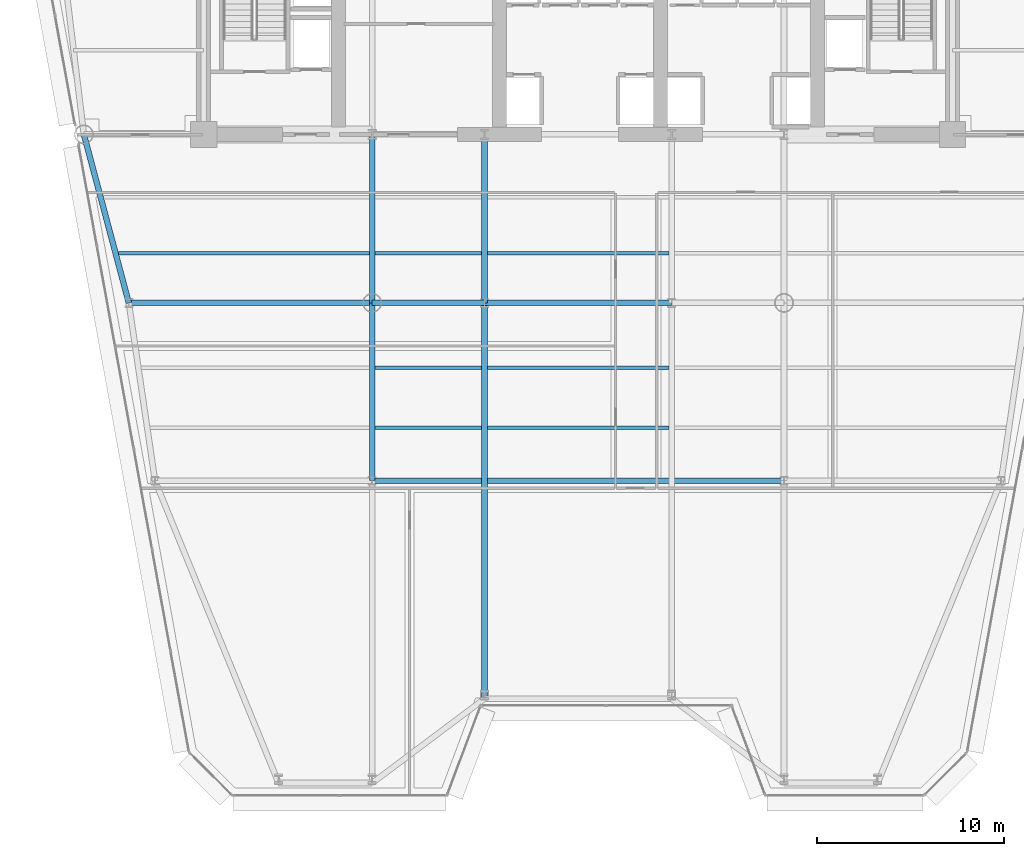
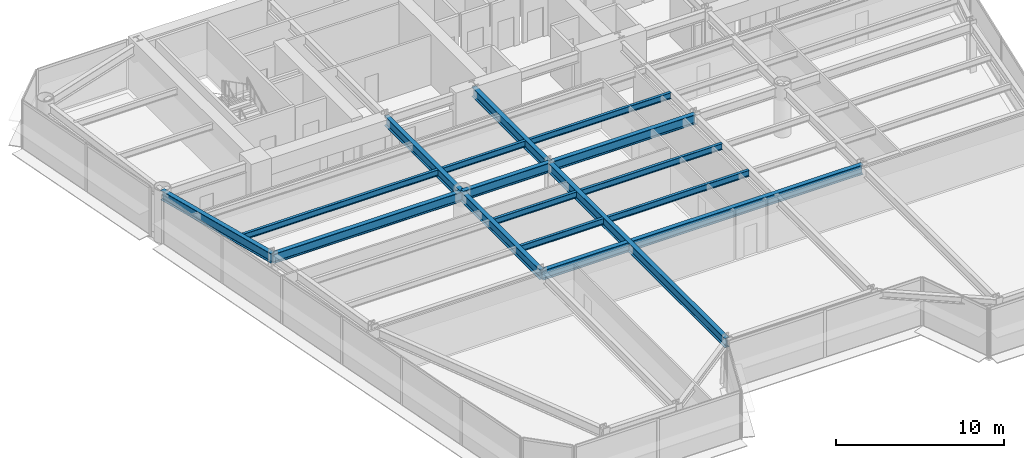
# One storey, part 3 of 14: 16 beams.
"""IFC4 building model written with IfcOpenShell, lengths in metres."""

from ifc_helpers import new_model, si_unit, direction, frame, origin, origin_2d, place, context, subcontext, project, spatial, i_section, extrude, source, transform, mapped, material, material_profile, profile_set, type_object, element, save


model = new_model("IFC4")

# Units and contexts
model_context = context("Model", 3, precision=1e-05, world=origin(), true_north=direction((0.0, 1.0)))
body_context = subcontext(model_context, "Body", "Model", "MODEL_VIEW")
ifc_project = project(units=[si_unit("LENGTHUNIT", "METRE"), si_unit("AREAUNIT", "SQUARE_METRE"), si_unit("VOLUMEUNIT", "CUBIC_METRE"), si_unit("PLANEANGLEUNIT", "RADIAN"), si_unit("MASSUNIT", "GRAM", prefix="KILO")], contexts=[model_context])

# Site, building, storey
site_placement = place(None, origin())
site = spatial("IfcSite", under=ifc_project, at=site_placement, CompositionType="ELEMENT")
building_placement = place(site_placement, origin())
building = spatial("IfcBuilding", under=site, at=building_placement, Name="Vaeldorn Concourse Tower", CompositionType="ELEMENT")
storey_placement = place(building_placement, frame((0.0, 0.0, 126.199951171875)))
storey = spatial("IfcBuildingStorey", under=building, at=storey_placement, Name="L32", CompositionType="ELEMENT", Elevation=126.199951171875)

# Beams
ifc_material = material(Name="Steel S355", Category="steel")
ifc_material_profile_1 = material_profile(ifc_material, i_section(OverallWidth=0.300048828125, OverallDepth=0.699951171875, WebThickness=0.01708984375, FlangeThickness=0.031982421875, FilletRadius=0.027099609375, at=origin_2d()), Name="HEB 700")
ifc_profile_set_1 = profile_set([ifc_material_profile_1], Name="Steel S355")
beam_type_1 = type_object("IfcBeamType", Name="BM-PG-HEB700", PredefinedType="BEAM", material=ifc_profile_set_1)
shared_shape_1 = source(origin(), body_context, "Body", "SweptSolid", [
    extrude(i_section(OverallWidth=0.300048828125, OverallDepth=0.699951171875, WebThickness=0.01708984375, FlangeThickness=0.031982421875, FilletRadius=0.027099609375, at=origin_2d()), origin(), (0.0, 0.0, 1.0), 6.0),
])
beam_1_placement = place(storey_placement, frame((23.0, 27.5, 3.22998046875), z_axis=(1.0, 0.0, 0.0), x_axis=(0.0, 1.0, 0.0)))
element("IfcBeam", 1, at=beam_1_placement, inside=storey, type_object=beam_type_1, Name="Beam BM-L32-C-TW1-C-TW2", PredefinedType="BEAM", context=body_context, shape_type="MappedRepresentation", body=[
    mapped(shared_shape_1, transform((0.0, 0.0, 0.0), scale=1.0)),
])
shared_shape_2 = source(origin(), body_context, "Body", "SweptSolid", [
    extrude(i_section(OverallWidth=0.300048828125, OverallDepth=0.699951171875, WebThickness=0.01708984375, FlangeThickness=0.031982421875, FilletRadius=0.027099609375, at=origin_2d()), origin(), (0.0, 0.0, 1.0), 10.0),
])
beam_2_placement = place(storey_placement, frame((29.0, 27.5, 3.22998046875), z_axis=(1.0, 0.0, 0.0), x_axis=(0.0, 1.0, 0.0)))
element("IfcBeam", 2, at=beam_2_placement, inside=storey, type_object=beam_type_1, Name="Beam BM-L32-C-TW2-C-TW3", PredefinedType="BEAM", context=body_context, shape_type="MappedRepresentation", body=[
    mapped(shared_shape_2, transform((0.0, 0.0, 0.0), scale=1.0)),
])
shared_shape_3 = source(origin(), body_context, "Body", "SweptSolid", [
    extrude(i_section(OverallWidth=0.300048828125, OverallDepth=0.699951171875, WebThickness=0.01708984375, FlangeThickness=0.031982421875, FilletRadius=0.027099609375, at=origin_2d()), origin(), (0.0, 0.0, 1.0), 9.0),
])
for number, where, z_axis, x_axis, name in (
    (3, (23.0, 27.5, 3.22998046875), (0.0, 1.0, 0.0), (-1.0, 0.0, 0.0), "Beam BM-L32-C-TW1-C-FC2"),
    (4, (29.0, 27.5, 3.22998046875), (0.0, 1.0, 0.0), (-1.0, 0.0, 0.0), "Beam BM-L32-C-TW2-C-FC3"),
):
    element("IfcBeam", number, at=place(storey_placement, frame(where, z_axis=z_axis, x_axis=x_axis)), inside=storey, type_object=beam_type_1, Name=name, PredefinedType="BEAM", context=body_context, shape_type="MappedRepresentation", body=[
        mapped(shared_shape_3, transform((0.0, 0.0, 0.0), scale=1.0)),
    ])
shared_shape_4 = source(origin(), body_context, "Body", "SweptSolid", [
    extrude(i_section(OverallWidth=0.300048828125, OverallDepth=0.699951171875, WebThickness=0.01708984375, FlangeThickness=0.031982421875, FilletRadius=0.027099609375, at=origin_2d()), origin(), (0.0, 0.0, 1.0), 9.314453125),
])
beam_3_placement = place(storey_placement, frame((7.60009765625, 36.5, 3.22998046875), z_axis=(0.257652862255, -0.966237549763, 0.0), x_axis=(0.966237549763, 0.257652862255, 0.0)))
element("IfcBeam", 5, at=beam_3_placement, inside=storey, type_object=beam_type_1, Name="Beam BM-L32-C-NW2-C-FLW1", PredefinedType="BEAM", context=body_context, shape_type="MappedRepresentation", body=[
    mapped(shared_shape_4, transform((0.0, 0.0, 0.0), scale=1.0)),
])
shared_shape_5 = source(origin(), body_context, "Body", "SweptSolid", [
    extrude(i_section(OverallWidth=0.300048828125, OverallDepth=0.699951171875, WebThickness=0.01708984375, FlangeThickness=0.031982421875, FilletRadius=0.027099609375, at=origin_2d()), origin(), (0.0, 0.0, 1.0), 13.0),
])
beam_4_placement = place(storey_placement, frame((10.0, 27.5, 3.22998046875), z_axis=(1.0, 0.0, 0.0), x_axis=(0.0, 1.0, 0.0)))
element("IfcBeam", 6, at=beam_4_placement, inside=storey, type_object=beam_type_1, Name="Beam BM-L32-C-FLW1-C-TW1", PredefinedType="BEAM", context=body_context, shape_type="MappedRepresentation", body=[
    mapped(shared_shape_5, transform((0.0, 0.0, 0.0), scale=1.0)),
])
shared_shape_6 = source(origin(), body_context, "Body", "SweptSolid", [
    extrude(i_section(OverallWidth=0.300048828125, OverallDepth=0.699951171875, WebThickness=0.01708984375, FlangeThickness=0.031982421875, FilletRadius=0.027099609375, at=origin_2d()), origin(), (0.0, 0.0, 1.0), 22.0),
])
beam_5_placement = place(storey_placement, frame((23.0, 18.0, 3.22998046875), z_axis=(1.0, 0.0, 0.0), x_axis=(0.0, 1.0, 0.0)))
element("IfcBeam", 7, at=beam_5_placement, inside=storey, type_object=beam_type_1, Name="Beam BM-L32-C-TW5-C-TW6", PredefinedType="BEAM", context=body_context, shape_type="MappedRepresentation", body=[
    mapped(shared_shape_6, transform((0.0, 0.0, 0.0), scale=1.0)),
])
shared_shape_7 = source(origin(), body_context, "Body", "SweptSolid", [
    extrude(i_section(OverallWidth=0.300048828125, OverallDepth=0.699951171875, WebThickness=0.01708984375, FlangeThickness=0.031982421875, FilletRadius=0.027099609375, at=origin_2d()), origin(), (0.0, 0.0, 1.0), 9.5),
])
beam_6_placement = place(storey_placement, frame((23.0, 18.0, 3.22998046875), z_axis=(0.0, 1.0, 0.0), x_axis=(-1.0, 0.0, 0.0)))
element("IfcBeam", 8, at=beam_6_placement, inside=storey, type_object=beam_type_1, Name="Beam BM-L32-C-TW5-C-TW1", PredefinedType="BEAM", context=body_context, shape_type="MappedRepresentation", body=[
    mapped(shared_shape_7, transform((0.0, 0.0, 0.0), scale=1.0)),
])
shared_shape_8 = source(origin(), body_context, "Body", "SweptSolid", [
    extrude(i_section(OverallWidth=0.300048828125, OverallDepth=0.699951171875, WebThickness=0.01708984375, FlangeThickness=0.031982421875, FilletRadius=0.027099609375, at=origin_2d()), origin(), (0.0, 0.0, 1.0), 21.143798828125),
])
beam_7_placement = place(storey_placement, frame((29.0, 6.356201171875, 3.22998046875), z_axis=(0.0, 1.0, 0.0), x_axis=(-1.0, 0.0, 0.0)))
element("IfcBeam", 9, at=beam_7_placement, inside=storey, type_object=beam_type_1, Name="Beam BM-L32-C-SF3-C-TW2", PredefinedType="BEAM", context=body_context, shape_type="MappedRepresentation", body=[
    mapped(shared_shape_8, transform((0.0, 0.0, 0.0), scale=1.0)),
])
ifc_material_profile_2 = material_profile(ifc_material, i_section(OverallWidth=0.18994140625, OverallDepth=0.449951171875, WebThickness=0.009521484375, FlangeThickness=0.0146484375, FilletRadius=0.02099609375, at=origin_2d()), Name="IPE 450")
ifc_profile_set_2 = profile_set([ifc_material_profile_2], Name="Steel S355")
beam_type_2 = type_object("IfcBeamType", Name="BM-JS-IPE450", PredefinedType="JOIST", material=ifc_profile_set_2)
shared_shape_9 = source(origin(), body_context, "Body", "SweptSolid", [
    extrude(i_section(OverallWidth=0.18994140625, OverallDepth=0.449951171875, WebThickness=0.009521484375, FlangeThickness=0.0146484375, FilletRadius=0.02099609375, at=origin_2d()), origin(), (0.0, 0.0, 1.0), 5.7001953125),
])
for number, where, z_axis, x_axis, name in (
    (10, (23.14990234375, 20.840087890625, 3.35498046875), (1.0, 0.0, 0.0), (0.0, 1.0, 0.0), "Beam JS-L32-W2-208"),
    (11, (23.14990234375, 24.0400390625, 3.35498046875), (1.0, 0.0, 0.0), (0.0, 1.0, 0.0), "Beam JS-L32-W2-240"),
    (12, (23.14990234375, 30.139892578125, 3.35498046875), (1.0, 0.0, 0.0), (0.0, 1.0, 0.0), "Beam JS-L32-W2-301"),
):
    element("IfcBeam", number, at=place(storey_placement, frame(where, z_axis=z_axis, x_axis=x_axis)), inside=storey, type_object=beam_type_2, Name=name, PredefinedType="JOIST", context=body_context, shape_type="MappedRepresentation", body=[
        mapped(shared_shape_9, transform((0.0, 0.0, 0.0), scale=1.0)),
    ])
shared_shape_10 = source(origin(), body_context, "Body", "SweptSolid", [
    extrude(i_section(OverallWidth=0.18994140625, OverallDepth=0.449951171875, WebThickness=0.009521484375, FlangeThickness=0.0146484375, FilletRadius=0.02099609375, at=origin_2d()), origin(), (0.0, 0.0, 1.0), 9.7001953125),
])
for number, where, z_axis, x_axis, name in (
    (13, (29.14990234375, 20.840087890625, 3.35498046875), (1.0, 0.0, 0.0), (0.0, 1.0, 0.0), "Beam JS-L32-C-208"),
    (14, (29.14990234375, 24.0400390625, 3.35498046875), (1.0, 0.0, 0.0), (0.0, 1.0, 0.0), "Beam JS-L32-C-240"),
    (15, (29.14990234375, 30.139892578125, 3.35498046875), (1.0, 0.0, 0.0), (0.0, 1.0, 0.0), "Beam JS-L32-C-301"),
):
    element("IfcBeam", number, at=place(storey_placement, frame(where, z_axis=z_axis, x_axis=x_axis)), inside=storey, type_object=beam_type_2, Name=name, PredefinedType="JOIST", context=body_context, shape_type="MappedRepresentation", body=[
        mapped(shared_shape_10, transform((0.0, 0.0, 0.0), scale=1.0)),
    ])
shared_shape_11 = source(origin(), body_context, "Body", "SweptSolid", [
    extrude(i_section(OverallWidth=0.18994140625, OverallDepth=0.449951171875, WebThickness=0.009521484375, FlangeThickness=0.0146484375, FilletRadius=0.02099609375, at=origin_2d()), origin(), (0.0, 0.0, 1.0), 13.404052734375),
])
beam_8_placement = place(storey_placement, frame((9.446044921875, 30.139892578125, 3.35498046875), z_axis=(1.0, 0.0, 0.0), x_axis=(0.0, 1.0, 0.0)))
element("IfcBeam", 16, at=beam_8_placement, inside=storey, type_object=beam_type_2, Name="Beam JS-L32-W1-301", PredefinedType="JOIST", context=body_context, shape_type="MappedRepresentation", body=[
    mapped(shared_shape_11, transform((0.0, 0.0, 0.0), scale=1.0)),
])

save(model, "model.ifc")
